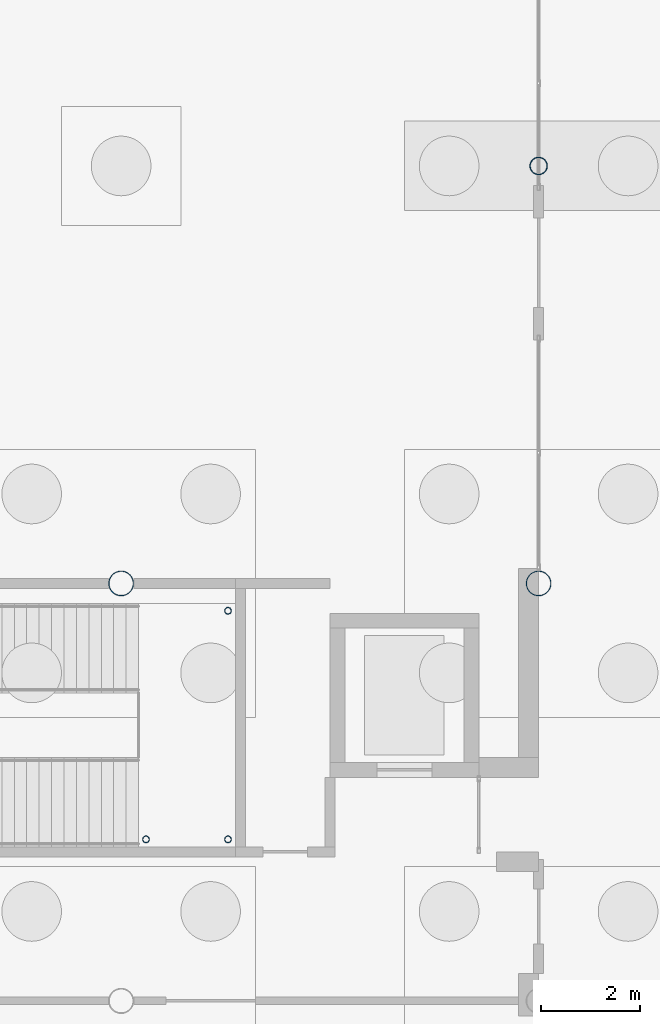
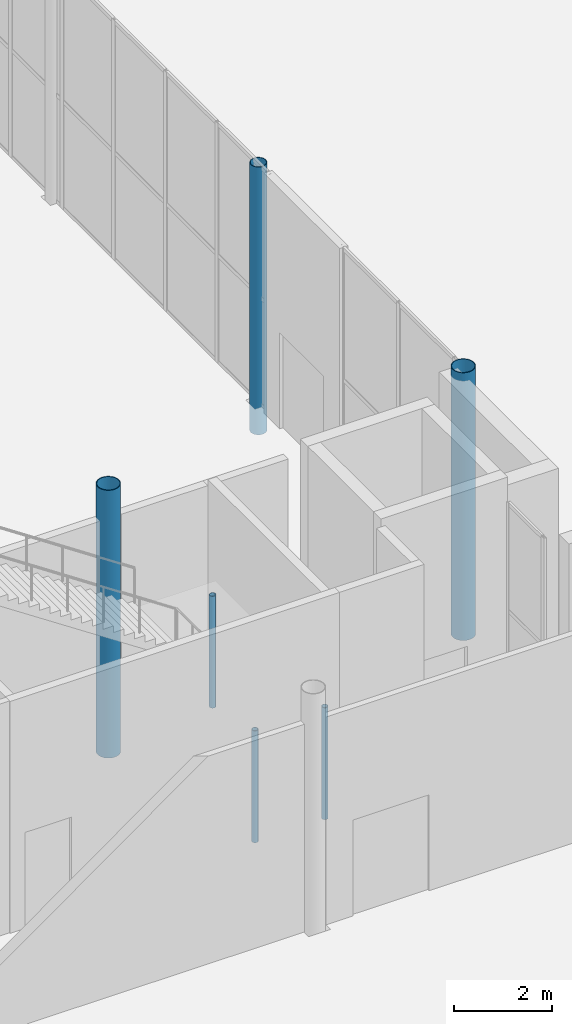
# One storey, part 21 of 212: 6 columns.
"""IFC4 building model written with IfcOpenShell, lengths in metres."""

from ifc_helpers import new_model, si_unit, direction, frame, origin, origin_2d, place, context, subcontext, project, spatial, hollow_circle, extrude, material, material_profile, profile_set, type_object, element, save


model = new_model("IFC4")

# Units and contexts
model_context = context("Model", 3, precision=1e-05, world=origin(), true_north=direction((0.0, 1.0)))
body_context = subcontext(model_context, "Body", "Model", "MODEL_VIEW")
ifc_project = project(units=[si_unit("LENGTHUNIT", "METRE"), si_unit("AREAUNIT", "SQUARE_METRE"), si_unit("VOLUMEUNIT", "CUBIC_METRE"), si_unit("PLANEANGLEUNIT", "RADIAN"), si_unit("MASSUNIT", "GRAM", prefix="KILO")], contexts=[model_context])

# Site, building, storey
site_placement = place(None, origin())
site = spatial("IfcSite", under=ifc_project, at=site_placement, CompositionType="ELEMENT")
building_placement = place(site_placement, origin())
building = spatial("IfcBuilding", under=site, at=building_placement, Name="Catenary Quay Ferry Terminal", CompositionType="ELEMENT")
storey_placement = place(building_placement, origin())
storey = spatial("IfcBuildingStorey", under=building, at=storey_placement, Name="L00", CompositionType="ELEMENT", Elevation=0.0)

# Columns
ifc_material_1 = material(Name="Steel S355", Category="steel")
ifc_material_profile_1 = material_profile(ifc_material_1, hollow_circle(Radius=0.25390625, WallThickness=0.01611328125, at=origin_2d()), Name="CHS 508x16")
ifc_profile_set_1 = profile_set([ifc_material_profile_1], Name="Steel S355")
column_type_1 = type_object("IfcColumnType", Name="C4 CHS 508x16", PredefinedType="COLUMN", material=ifc_profile_set_1)
for number, where, z_axis, x_axis, name in (
    (1, (84.0, 109.199951171875, -0.699951171875), (0.0, 0.0, 1.0), (1.0, 0.0, 0.0), "Column C-K14 L00"),
    (2, (92.39990234375, 109.199951171875, -0.699951171875), (0.0, 0.0, 1.0), (1.0, 0.0, 0.0), "Column C-L14 L00"),
):
    element("IfcColumn", number, at=place(storey_placement, frame(where, z_axis=z_axis, x_axis=x_axis)), inside=storey, type_object=column_type_1, Name=name, PredefinedType="COLUMN", context=body_context, shape_type="SweptSolid", body=[
        extrude(hollow_circle(Radius=0.25390625, WallThickness=0.01611328125, at=origin_2d()), origin(), (0.0, 0.0, 1.0), 6.699951171875),
    ])
ifc_material_2 = material(Name="Steel S355", Category="steel")
ifc_material_profile_2 = material_profile(ifc_material_2, hollow_circle(Radius=0.177734375, WallThickness=0.012451171875, at=origin_2d()), Name="CHS 355.6x12.5")
ifc_profile_set_2 = profile_set([ifc_material_profile_2], Name="Steel S355")
column_type_2 = type_object("IfcColumnType", Name="C5 CHS 355.6x12.5", PredefinedType="COLUMN", material=ifc_profile_set_2)
column_placement = place(storey_placement, frame((92.39990234375, 117.60009765625, -0.699951171875), z_axis=(0.0, 0.0, 1.0), x_axis=(1.0, 0.0, 0.0)))
element("IfcColumn", 3, at=column_placement, inside=storey, type_object=column_type_2, Name="Column C-L15 L00", PredefinedType="COLUMN", context=body_context, shape_type="SweptSolid", body=[
    extrude(hollow_circle(Radius=0.177734375, WallThickness=0.012451171875, at=origin_2d()), origin(), (0.0, 0.0, 1.0), 6.699951171875),
])
ifc_material_3 = material(Name="Steel S355", Category="steel")
ifc_material_profile_3 = material_profile(ifc_material_3, hollow_circle(Radius=0.06982421875, WallThickness=0.008056640625, at=origin_2d()), Name="CHS 139.7x8")
ifc_profile_set_3 = profile_set([ifc_material_profile_3], Name="Steel S355")
column_type_3 = type_object("IfcColumnType", Name="SP1 CHS 139.7x8", PredefinedType="COLUMN", material=ifc_profile_set_3)
for number, where, z_axis, x_axis, name in (
    (4, (86.14990234375, 104.050048828125, 0.0), (0.0, 0.0, 1.0), (1.0, 0.0, 0.0), "Landing post TS3-L00 1"),
    (5, (86.14990234375, 108.64990234375, 0.0), (0.0, 0.0, 1.0), (1.0, 0.0, 0.0), "Landing post TS3-L00 2"),
    (6, (84.5, 104.050048828125, 0.0), (0.0, 0.0, 1.0), (1.0, 0.0, 0.0), "Landing post TS3-L00 3"),
):
    element("IfcColumn", number, at=place(storey_placement, frame(where, z_axis=z_axis, x_axis=x_axis)), inside=storey, type_object=column_type_3, Name=name, PredefinedType="COLUMN", context=body_context, shape_type="SweptSolid", body=[
        extrude(hollow_circle(Radius=0.06982421875, WallThickness=0.008056640625, at=origin_2d()), origin(), (0.0, 0.0, 1.0), 2.800048828125),
    ])

save(model, "model.ifc")
